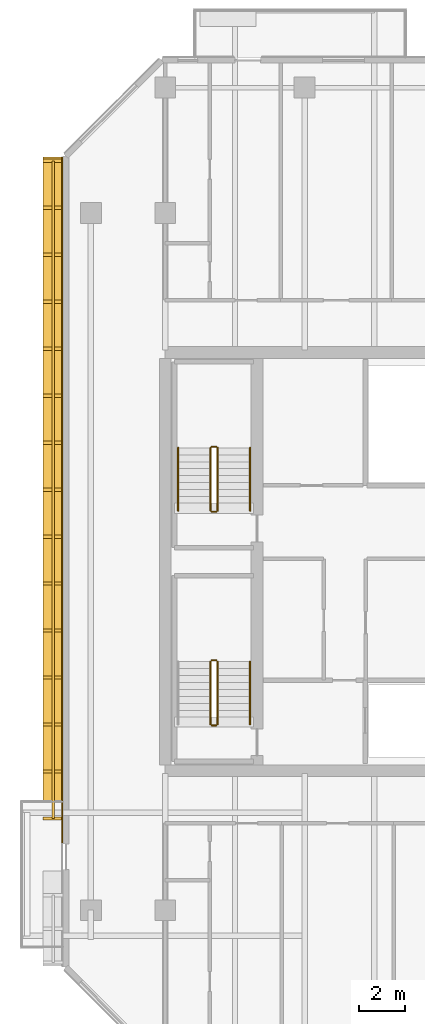
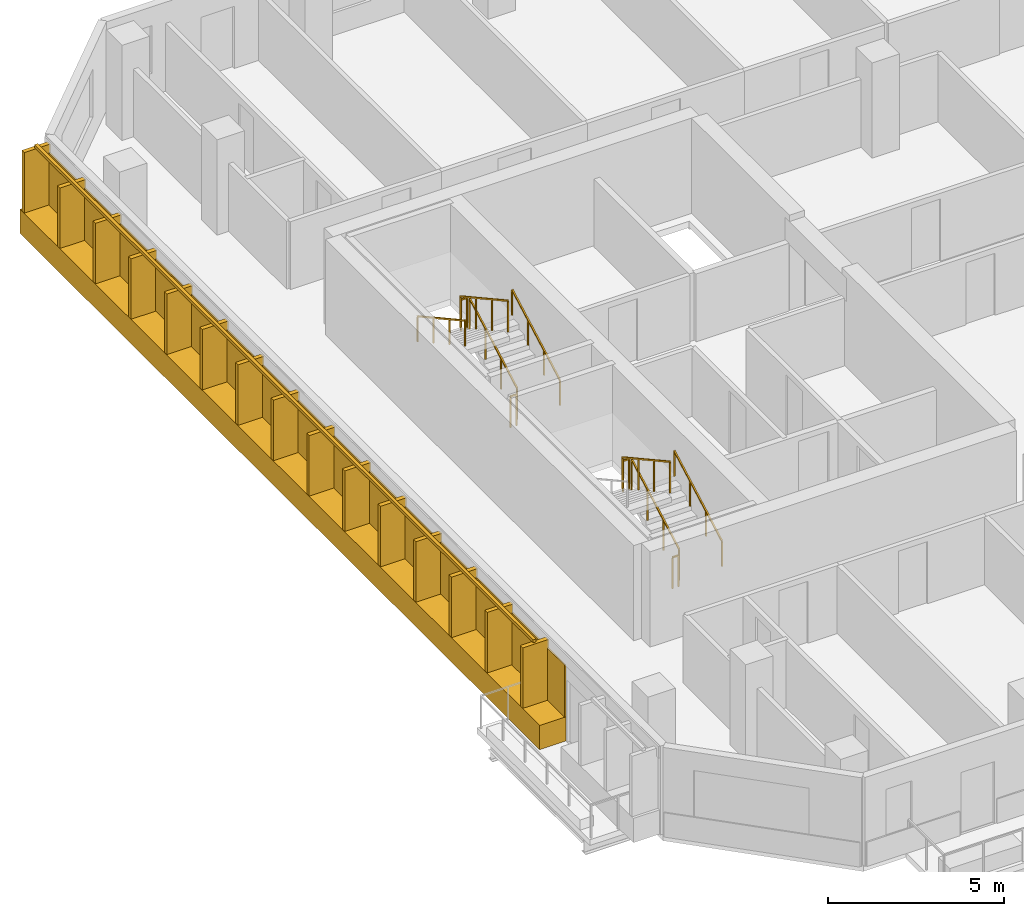
# One storey, part 17 of 19: 12 railings, 2 coverings.
"""IFC4 building model written with IfcOpenShell, lengths in metres."""

from ifc_helpers import new_model, si_unit, direction, frame, origin, origin_2d, place, context, subcontext, project, spatial, rectangle, extrude, material, layer, layer_set, type_object, element, save


model = new_model("IFC4")

# Units and contexts
model_context = context("Model", 3, precision=1e-05, world=origin(), true_north=direction((0.0, 1.0)))
body_context = subcontext(model_context, "Body", "Model", "MODEL_VIEW")
ifc_project = project(units=[si_unit("LENGTHUNIT", "METRE"), si_unit("AREAUNIT", "SQUARE_METRE"), si_unit("VOLUMEUNIT", "CUBIC_METRE"), si_unit("PLANEANGLEUNIT", "RADIAN"), si_unit("MASSUNIT", "GRAM", prefix="KILO")], contexts=[model_context])

# Site, building, storey
site_placement = place(None, origin())
site = spatial("IfcSite", under=ifc_project, at=site_placement, CompositionType="ELEMENT")
building_placement = place(site_placement, origin())
building = spatial("IfcBuilding", under=site, at=building_placement, Name="Tanjung Sevakor Pilgrim Tower", CompositionType="ELEMENT")
storey_placement = place(building_placement, frame((0.0, 0.0, 135.300048828125)))
storey = spatial("IfcBuildingStorey", under=building, at=storey_placement, Name="L37", CompositionType="ELEMENT", Elevation=135.300048828125)

# Coverings
ifc_material_1 = material(Name="Reconstructed Limestone Cladding", Category="masonry")
ifc_layer = layer(ifc_material_1, 0.044921875)
ifc_layer_set = layer_set([ifc_layer], Name="COV-CLAD-LIMESTONE")
covering_type = type_object("IfcCoveringType", Name="COV-CLAD-LIMESTONE", PredefinedType="CLADDING", material=ifc_layer_set)
covering_1_placement = place(storey_placement, frame((19.169921875, 36.259033203125, 0.009765625), z_axis=(0.0, 0.0, 1.0), x_axis=(0.0, -1.0, 0.0)))
element("IfcCovering", 1, at=covering_1_placement, inside=storey, type_object=covering_type, Name="L37 Warm Limestone Sill Spandrel EW-L37-MAIN-15-1", PredefinedType="CLADDING", context=body_context, shape_type="SweptSolid", body=[
    extrude(rectangle(XDim=29.498291015625, YDim=0.860107421875, at=origin_2d()), origin(), (0.0, 0.0, 1.0), 0.840087890625),
])
covering_2_placement = place(storey_placement, frame((19.577392578125, 36.254150390625, 0.849853515625), z_axis=(0.0, 0.0, 1.0), x_axis=(0.0, -1.0, 0.0)))
element("IfcCovering", 2, at=covering_2_placement, inside=storey, type_object=covering_type, Name="L37 Warm Limestone Pier Panel EW-L37-MAIN-15-1", PredefinedType="CLADDING", context=body_context, shape_type="SweptSolid", body=[
    extrude(rectangle(XDim=29.50830078125, YDim=0.044921875, at=origin_2d()), origin(), (0.0, 0.0, 1.0), 1.81005859375),
])

# Railings
ifc_material_2 = material(Name="Anodised Bronze Aluminium 6063-T6", Category="aluminium")
railing_type_1 = type_object("IfcRailingType", Name="RL-FIN-SCREEN", PredefinedType="BALUSTRADE", material=ifc_material_2)
railing_1_placement = place(storey_placement, frame((19.175048828125, 50.84814453125, 0.83984375)))
element("IfcRailing", 3, at=railing_1_placement, inside=storey, type_object=railing_type_1, Name="L37 Vertical Bronze-Gold Solar Fin Screen FNEND-EW-L37-MAIN-15-1", PredefinedType="BALUSTRADE", context=body_context, shape_type="SweptSolid", body=[
    extrude(rectangle(XDim=0.105, YDim=0.105), frame((0.0, 0.0, 2.157470703125), z_axis=(0.0, -1.0, 0.0), x_axis=(1.0, 0.0, 0.0)), (0.0, 0.0, 1.0), 28.298095703125),
    extrude(rectangle(XDim=0.85, YDim=0.14), origin(), (0.0, 0.0, 1.0), 2.10498046875),
    extrude(rectangle(XDim=0.85, YDim=0.14), frame((0.0, -2.021240234375, 0.0)), (0.0, 0.0, 1.0), 2.10498046875),
    extrude(rectangle(XDim=0.85, YDim=0.14), frame((0.0, -4.04248046875, 0.0)), (0.0, 0.0, 1.0), 2.10498046875),
    extrude(rectangle(XDim=0.85, YDim=0.14), frame((0.0, -6.06396484375, 0.0)), (0.0, 0.0, 1.0), 2.10498046875),
    extrude(rectangle(XDim=0.85, YDim=0.14), frame((0.0, -8.085205078125, 0.0)), (0.0, 0.0, 1.0), 2.10498046875),
    extrude(rectangle(XDim=0.85, YDim=0.14), frame((0.0, -10.1064453125, 0.0)), (0.0, 0.0, 1.0), 2.10498046875),
    extrude(rectangle(XDim=0.85, YDim=0.14), frame((0.0, -12.127685546875, 0.0)), (0.0, 0.0, 1.0), 2.10498046875),
    extrude(rectangle(XDim=0.85, YDim=0.14), frame((0.0, -14.14892578125, 0.0)), (0.0, 0.0, 1.0), 2.10498046875),
    extrude(rectangle(XDim=0.85, YDim=0.14), frame((0.0, -16.17041015625, 0.0)), (0.0, 0.0, 1.0), 2.10498046875),
    extrude(rectangle(XDim=0.85, YDim=0.14), frame((0.0, -18.191650390625, 0.0)), (0.0, 0.0, 1.0), 2.10498046875),
    extrude(rectangle(XDim=0.85, YDim=0.14), frame((0.0, -20.212890625, 0.0)), (0.0, 0.0, 1.0), 2.10498046875),
    extrude(rectangle(XDim=0.85, YDim=0.14), frame((0.0, -22.234130859375, 0.0)), (0.0, 0.0, 1.0), 2.10498046875),
    extrude(rectangle(XDim=0.85, YDim=0.14), frame((0.0, -24.255615234375, 0.0)), (0.0, 0.0, 1.0), 2.10498046875),
    extrude(rectangle(XDim=0.85, YDim=0.14), frame((0.0, -26.27685546875, 0.0)), (0.0, 0.0, 1.0), 2.10498046875),
    extrude(rectangle(XDim=0.85, YDim=0.14), frame((0.0, -28.298095703125, 0.0)), (0.0, 0.0, 1.0), 2.10498046875),
])
ifc_material_3 = material(Name="Steel S355J2", Category="steel")
railing_type_2 = type_object("IfcRailingType", Name="RL-STAIR-GUARD", PredefinedType="GUARDRAIL", material=ifc_material_3)
railing_2_placement = place(storey_placement, frame((26.25, 26.60009765625, 0.1650390625)))
element("IfcRailing", 4, at=railing_2_placement, inside=storey, type_object=railing_type_2, Name="L37 TS-W1 stair guard 1", PredefinedType="GUARDRAIL", context=body_context, shape_type="SweptSolid", body=[
    extrude(rectangle(XDim=0.0479, YDim=0.0479), frame((0.0, 0.0, 1.076171875), z_axis=(0.0, 0.876230963923, 0.481891375584), x_axis=(-1.0, 0.0, 0.0)), (0.0, 0.0, 1.0), 3.081298828125),
    extrude(rectangle(XDim=0.042, YDim=0.042), origin(), (0.0, 0.0, 1.0), 1.052001953125),
    extrude(rectangle(XDim=0.042, YDim=0.042), frame((0.0, 0.89990234375, 0.494873046875)), (0.0, 0.0, 1.0), 1.052001953125),
    extrude(rectangle(XDim=0.042, YDim=0.042), frame((0.0, 1.800048828125, 0.989990234375)), (0.0, 0.0, 1.0), 1.052001953125),
    extrude(rectangle(XDim=0.042, YDim=0.042), frame((0.0, 2.699951171875, 1.48486328125)), (0.0, 0.0, 1.0), 1.052001953125),
])
railing_3_placement = place(storey_placement, frame((26.199951171875, 29.35009765625, 1.64990234375)))
element("IfcRailing", 5, at=railing_3_placement, inside=storey, type_object=railing_type_2, Name="L37 TS-W1 stair guard 2", PredefinedType="GUARDRAIL", context=body_context, shape_type="SweptSolid", body=[
    extrude(rectangle(XDim=0.0479, YDim=0.0479), frame((0.0, 0.0, 1.076171875), z_axis=(-1.0, 0.0, 0.0), x_axis=(0.0, -1.0, 0.0)), (0.0, 0.0, 1.0), 0.199951171875),
    extrude(rectangle(XDim=0.042, YDim=0.042), origin(), (0.0, 0.0, 1.0), 1.052001953125),
    extrude(rectangle(XDim=0.042, YDim=0.042), frame((-0.199951171875, 0.0, 0.0)), (0.0, 0.0, 1.0), 1.052001953125),
])
railing_4_placement = place(storey_placement, frame((25.949951171875, 29.300048828125, 1.81494140625)))
element("IfcRailing", 6, at=railing_4_placement, inside=storey, type_object=railing_type_2, Name="L37 TS-W1 stair guard 3", PredefinedType="GUARDRAIL", context=body_context, shape_type="SweptSolid", body=[
    extrude(rectangle(XDim=0.0479, YDim=0.0479), frame((0.0, 0.0, 1.076171875), z_axis=(0.0, -0.876197507361, 0.481952205197), x_axis=(1.0, 0.0, 0.0)), (0.0, 0.0, 1.0), 3.08154296875),
    extrude(rectangle(XDim=0.042, YDim=0.042), origin(), (0.0, 0.0, 1.0), 1.052001953125),
    extrude(rectangle(XDim=0.042, YDim=0.042), frame((0.0, -0.89990234375, 0.4951171875)), (0.0, 0.0, 1.0), 1.052001953125),
    extrude(rectangle(XDim=0.042, YDim=0.042), frame((0.0, -1.800048828125, 0.989990234375)), (0.0, 0.0, 1.0), 1.052001953125),
    extrude(rectangle(XDim=0.042, YDim=0.042), frame((0.0, -2.699951171875, 1.485107421875)), (0.0, 0.0, 1.0), 1.052001953125),
])
railing_5_placement = place(storey_placement, frame((26.199951171875, 26.550048828125, 0.0)))
element("IfcRailing", 7, at=railing_5_placement, inside=storey, type_object=railing_type_2, Name="L37 TS-W1 stair guard 4", PredefinedType="GUARDRAIL", context=body_context, shape_type="SweptSolid", body=[
    extrude(rectangle(XDim=0.0479, YDim=0.0479), frame((0.0, 0.0, 1.076171875), z_axis=(-1.0, 0.0, 0.0), x_axis=(0.0, -1.0, 0.0)), (0.0, 0.0, 1.0), 0.199951171875),
    extrude(rectangle(XDim=0.042, YDim=0.042), origin(), (0.0, 0.0, 1.0), 1.052001953125),
    extrude(rectangle(XDim=0.042, YDim=0.042), frame((-0.199951171875, 0.0, 0.0)), (0.0, 0.0, 1.0), 1.052001953125),
])
railing_6_placement = place(storey_placement, frame((26.25, 35.800048828125, 0.1650390625)))
element("IfcRailing", 8, at=railing_6_placement, inside=storey, type_object=railing_type_2, Name="L37 TS-W2 stair guard 1", PredefinedType="GUARDRAIL", context=body_context, shape_type="SweptSolid", body=[
    extrude(rectangle(XDim=0.0479, YDim=0.0479), frame((0.0, 0.0, 1.076171875), z_axis=(0.0, 0.876230963923, 0.481891375584), x_axis=(-1.0, 0.0, 0.0)), (0.0, 0.0, 1.0), 3.081298828125),
    extrude(rectangle(XDim=0.042, YDim=0.042), origin(), (0.0, 0.0, 1.0), 1.052001953125),
    extrude(rectangle(XDim=0.042, YDim=0.042), frame((0.0, 0.89990234375, 0.494873046875)), (0.0, 0.0, 1.0), 1.052001953125),
    extrude(rectangle(XDim=0.042, YDim=0.042), frame((0.0, 1.800048828125, 0.989990234375)), (0.0, 0.0, 1.0), 1.052001953125),
    extrude(rectangle(XDim=0.042, YDim=0.042), frame((0.0, 2.699951171875, 1.48486328125)), (0.0, 0.0, 1.0), 1.052001953125),
])
railing_7_placement = place(storey_placement, frame((26.199951171875, 38.550048828125, 1.64990234375)))
element("IfcRailing", 9, at=railing_7_placement, inside=storey, type_object=railing_type_2, Name="L37 TS-W2 stair guard 2", PredefinedType="GUARDRAIL", context=body_context, shape_type="SweptSolid", body=[
    extrude(rectangle(XDim=0.0479, YDim=0.0479), frame((0.0, 0.0, 1.076171875), z_axis=(-1.0, 0.0, 0.0), x_axis=(0.0, -1.0, 0.0)), (0.0, 0.0, 1.0), 0.199951171875),
    extrude(rectangle(XDim=0.042, YDim=0.042), origin(), (0.0, 0.0, 1.0), 1.052001953125),
    extrude(rectangle(XDim=0.042, YDim=0.042), frame((-0.199951171875, 0.0, 0.0)), (0.0, 0.0, 1.0), 1.052001953125),
])
railing_8_placement = place(storey_placement, frame((25.949951171875, 38.5, 1.81494140625)))
element("IfcRailing", 10, at=railing_8_placement, inside=storey, type_object=railing_type_2, Name="L37 TS-W2 stair guard 3", PredefinedType="GUARDRAIL", context=body_context, shape_type="SweptSolid", body=[
    extrude(rectangle(XDim=0.0479, YDim=0.0479), frame((0.0, 0.0, 1.076171875), z_axis=(0.0, -0.876197507361, 0.481952205197), x_axis=(1.0, 0.0, 0.0)), (0.0, 0.0, 1.0), 3.08154296875),
    extrude(rectangle(XDim=0.042, YDim=0.042), origin(), (0.0, 0.0, 1.0), 1.052001953125),
    extrude(rectangle(XDim=0.042, YDim=0.042), frame((0.0, -0.89990234375, 0.4951171875)), (0.0, 0.0, 1.0), 1.052001953125),
    extrude(rectangle(XDim=0.042, YDim=0.042), frame((0.0, -1.800048828125, 0.989990234375)), (0.0, 0.0, 1.0), 1.052001953125),
    extrude(rectangle(XDim=0.042, YDim=0.042), frame((0.0, -2.699951171875, 1.485107421875)), (0.0, 0.0, 1.0), 1.052001953125),
])
railing_9_placement = place(storey_placement, frame((26.199951171875, 35.75, 0.0)))
element("IfcRailing", 11, at=railing_9_placement, inside=storey, type_object=railing_type_2, Name="L37 TS-W2 stair guard 4", PredefinedType="GUARDRAIL", context=body_context, shape_type="SweptSolid", body=[
    extrude(rectangle(XDim=0.0479, YDim=0.0479), frame((0.0, 0.0, 1.076171875), z_axis=(-1.0, 0.0, 0.0), x_axis=(0.0, -1.0, 0.0)), (0.0, 0.0, 1.0), 0.199951171875),
    extrude(rectangle(XDim=0.042, YDim=0.042), origin(), (0.0, 0.0, 1.0), 1.052001953125),
    extrude(rectangle(XDim=0.042, YDim=0.042), frame((-0.199951171875, 0.0, 0.0)), (0.0, 0.0, 1.0), 1.052001953125),
])
ifc_material_4 = material(Name="Steel S355J2", Category="steel")
railing_type_3 = type_object("IfcRailingType", Name="RL-STAIR-HAND", PredefinedType="HANDRAIL", material=ifc_material_4)
for number, where, name in (
    (12, (27.64990234375, 26.60009765625, 0.1650390625), "L37 TS-W1 stair handrail 1"),
    (13, (27.64990234375, 35.800048828125, 0.1650390625), "L37 TS-W2 stair handrail 1"),
):
    element("IfcRailing", number, at=place(storey_placement, frame(where)), inside=storey, type_object=railing_type_3, Name=name, PredefinedType="HANDRAIL", context=body_context, shape_type="SweptSolid", body=[
        extrude(rectangle(XDim=0.0479, YDim=0.0479), frame((0.0, 0.0, 0.8759765625), z_axis=(0.0, 0.876230963923, 0.481891375584), x_axis=(-1.0, 0.0, 0.0)), (0.0, 0.0, 1.0), 3.081298828125),
        extrude(rectangle(XDim=0.042, YDim=0.042), origin(), (0.0, 0.0, 1.0), 0.851806640625),
        extrude(rectangle(XDim=0.042, YDim=0.042), frame((0.0, 0.89990234375, 0.494873046875)), (0.0, 0.0, 1.0), 0.851806640625),
        extrude(rectangle(XDim=0.042, YDim=0.042), frame((0.0, 1.800048828125, 0.989990234375)), (0.0, 0.0, 1.0), 0.851806640625),
        extrude(rectangle(XDim=0.042, YDim=0.042), frame((0.0, 2.699951171875, 1.48486328125)), (0.0, 0.0, 1.0), 0.851806640625),
    ])
railing_10_placement = place(storey_placement, frame((24.550048828125, 38.5, 1.81494140625)))
element("IfcRailing", 14, at=railing_10_placement, inside=storey, type_object=railing_type_3, Name="L37 TS-W2 stair handrail 2", PredefinedType="HANDRAIL", context=body_context, shape_type="SweptSolid", body=[
    extrude(rectangle(XDim=0.0479, YDim=0.0479), frame((0.0, 0.0, 0.8759765625), z_axis=(0.0, -0.876197507361, 0.481952205197), x_axis=(1.0, 0.0, 0.0)), (0.0, 0.0, 1.0), 3.08154296875),
    extrude(rectangle(XDim=0.042, YDim=0.042), origin(), (0.0, 0.0, 1.0), 0.851806640625),
    extrude(rectangle(XDim=0.042, YDim=0.042), frame((0.0, -0.89990234375, 0.4951171875)), (0.0, 0.0, 1.0), 0.851806640625),
    extrude(rectangle(XDim=0.042, YDim=0.042), frame((0.0, -1.800048828125, 0.989990234375)), (0.0, 0.0, 1.0), 0.851806640625),
    extrude(rectangle(XDim=0.042, YDim=0.042), frame((0.0, -2.699951171875, 1.485107421875)), (0.0, 0.0, 1.0), 0.851806640625),
])

save(model, "model.ifc")
